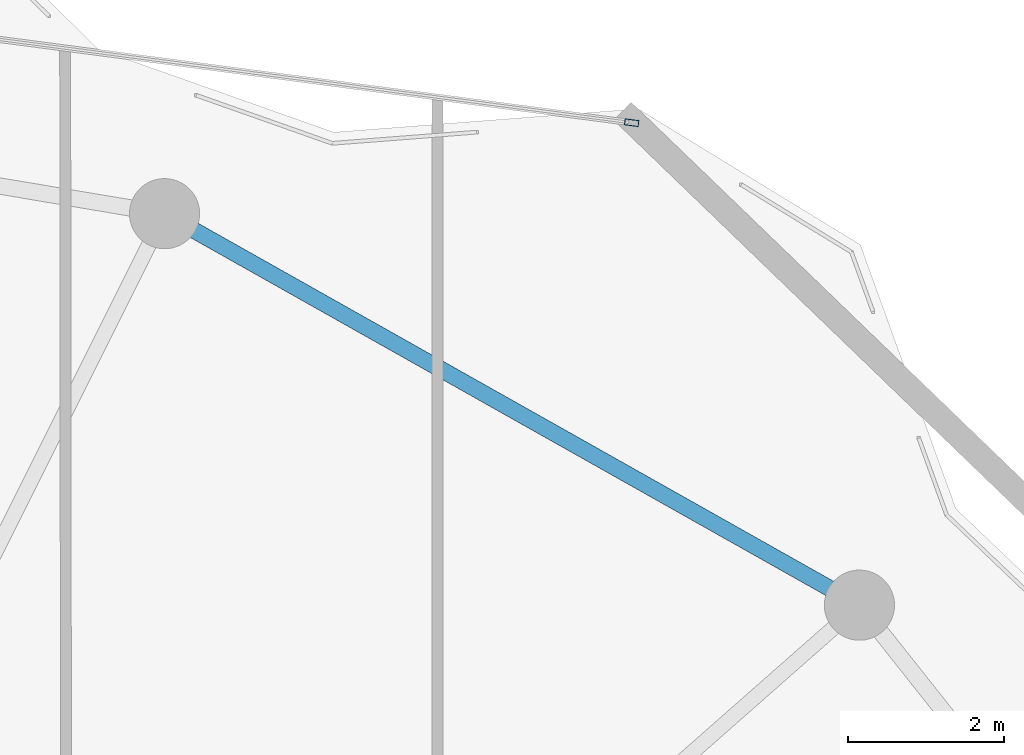
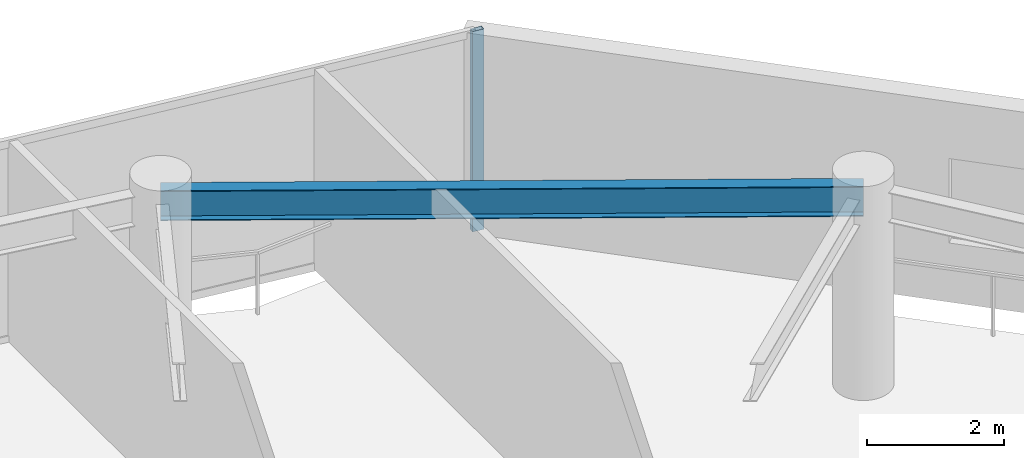
# One storey, part 21 of 29: 1 beam, 1 member, 1 element without a shape of its own.
"""IFC4 building model written with IfcOpenShell, lengths in metres."""

import ifcopenshell
import ifcopenshell.guid

model = None  # the IFC model being written
_history = None  # IfcOwnerHistory: only IFC2X3 demands one
_inside = {}  # id of a spatial element -> (the spatial element, [elements in it])
_under = {}  # id of a project, library or spatial element -> (it, [spatial elements below it])
_declared = {}  # id of a project -> (the project, [libraries it declares])
_typed = {}  # id of a type object -> (the type object, [elements of that type])
_made_of = {}  # id of a material, layer set ... -> (it, [elements and type objects made of it])


def new_model(schema):
    """Start an empty IFC model of exactly this schema.

    Asked for "IFC4X3", IfcOpenShell would pick the latest addendum, in which some entities
    have other attributes; the version numbers below select the first issue.
    IFC2X3 requires an IfcOwnerHistory on every rooted entity: one is made here for all.
    """
    global model, _history
    if schema == "IFC4X3":
        model = ifcopenshell.file(schema_version=(4, 3, 0, 0))
    else:
        model = ifcopenshell.file(schema=schema)
    _inside.clear()
    _under.clear()
    _declared.clear()
    _typed.clear()
    _made_of.clear()
    _history = None
    if model.schema == "IFC2X3":
        org = make("IfcOrganization", Name="unknown")
        user = make(
            "IfcPersonAndOrganization",
            ThePerson=make("IfcPerson", FamilyName="unknown"),
            TheOrganization=org,
        )
        app = make(
            "IfcApplication",
            ApplicationDeveloper=org,
            Version="unknown",
            ApplicationFullName="unknown",
            ApplicationIdentifier="unknown",
        )
        _history = make(
            "IfcOwnerHistory",
            OwningUser=user,
            OwningApplication=app,
            ChangeAction="ADDED",
            CreationDate=0,
        )
    return model


def make(cls, **values):
    """One entity of the class cls with the attributes given. An attribute that is None is left unset."""
    return model.create_entity(
        cls, **{name: value for name, value in values.items() if value is not None}
    )


def rooted(cls, **values):
    """An entity with a GlobalId (a new one), such as an element, a storey or a relation."""
    return make(cls, GlobalId=ifcopenshell.guid.new(), OwnerHistory=_history, **values)


def si_unit(unit_type, name, prefix=None):
    """IfcSIUnit, for example si_unit("LENGTHUNIT", "METRE", prefix="MILLI")."""
    return make("IfcSIUnit", UnitType=unit_type, Prefix=prefix, Name=name)


def assignment(units):
    """IfcUnitAssignment: the units of a project."""
    return None if units is None else make("IfcUnitAssignment", Units=units)


def point(xyz):
    """IfcCartesianPoint."""
    return None if xyz is None else make("IfcCartesianPoint", Coordinates=xyz)


def direction(xyz):
    """IfcDirection."""
    return None if xyz is None else make("IfcDirection", DirectionRatios=xyz)


def frame(location, z_axis=None, x_axis=None):
    """IfcAxis2Placement3D, a coordinate frame: its origin and axes. An axis left out is left unset."""
    return make(
        "IfcAxis2Placement3D",
        Location=point(location),
        Axis=direction(z_axis),
        RefDirection=direction(x_axis),
    )


def frame_2d(location, x_axis=None):
    """IfcAxis2Placement2D, a coordinate frame in the plane: its origin and x axis."""
    return make(
        "IfcAxis2Placement2D", Location=point(location), RefDirection=direction(x_axis)
    )


def origin():
    """The frame at (0, 0, 0) with its axes left unset."""
    return frame((0.0, 0.0, 0.0))


def origin_2d():
    """The frame at (0, 0) in the plane with its x axis left unset."""
    return frame_2d((0.0, 0.0))


def place(relative_to, where):
    """IfcLocalPlacement: puts the frame where relative to a parent placement (None: the world)."""
    return make(
        "IfcLocalPlacement", PlacementRelTo=relative_to, RelativePlacement=where
    )


def context(
    kind, dimensions, precision=None, world=None, true_north=None, identifier=None
):
    """IfcGeometricRepresentationContext, for example the 3D "Model" context."""
    return make(
        "IfcGeometricRepresentationContext",
        ContextIdentifier=identifier,
        ContextType=kind,
        CoordinateSpaceDimension=dimensions,
        Precision=precision,
        WorldCoordinateSystem=world,
        TrueNorth=true_north,
    )


def subcontext(parent, identifier, kind, view, scale=None):
    """IfcGeometricRepresentationSubContext, for example "Body" below "Model"."""
    return make(
        "IfcGeometricRepresentationSubContext",
        ContextIdentifier=identifier,
        ContextType=kind,
        ParentContext=parent,
        TargetScale=scale,
        TargetView=view,
    )


def project(units=None, contexts=None):
    """IfcProject with its units and contexts."""
    return rooted(
        "IfcProject",
        Name="project",
        RepresentationContexts=contexts,
        UnitsInContext=assignment(units),
    )


def spatial(cls, under=None, at=None, **own):
    """A site, building, storey or space (cls), placed at a placement, below another one or the project."""
    s = rooted(cls, ObjectPlacement=at, **own)
    if under is not None:
        _under.setdefault(under.id(), (under, []))[1].append(s)
    return s


def profile(cls, at=None, kind="AREA", **sizes):
    """A parametric profile (cls). Its sizes go by their IFC names, for example OverallWidth=200.0."""
    return make(cls, ProfileType=kind, Position=at, **sizes)


def hollow_rectangle(**sizes):
    """IfcRectangleHollowProfileDef."""
    return profile("IfcRectangleHollowProfileDef", **sizes)


def i_section(**sizes):
    """IfcIShapeProfileDef."""
    return profile("IfcIShapeProfileDef", **sizes)


def extrude(swept, where, along, depth):
    """IfcExtrudedAreaSolid: the profile swept, set in the frame where, extruded along a direction by depth."""
    return make(
        "IfcExtrudedAreaSolid",
        SweptArea=swept,
        Position=where,
        ExtrudedDirection=direction(along),
        Depth=depth,
    )


def shape(context_of_items, identifier, shape_type, items):
    """IfcShapeRepresentation: the items that make up one representation, for example the "Body"."""
    return make(
        "IfcShapeRepresentation",
        ContextOfItems=context_of_items,
        RepresentationIdentifier=identifier,
        RepresentationType=shape_type,
        Items=items,
    )


def material(Name=None, Category=None):
    """IfcMaterial."""
    return make("IfcMaterial", Name=Name, Category=Category)


def layer(
    of_material, thickness, ventilated=None, Name=None, Category=None, Priority=None
):
    """IfcMaterialLayer: one layer of a wall or slab, of a material (None: an air gap)."""
    return make(
        "IfcMaterialLayer",
        Material=of_material,
        LayerThickness=thickness,
        IsVentilated=ventilated,
        Name=Name,
        Category=Category,
        Priority=Priority,
    )


def layer_set(layers, Name=None):
    """IfcMaterialLayerSet."""
    return make("IfcMaterialLayerSet", MaterialLayers=layers, LayerSetName=Name)


def material_profile(
    of_material, cross_section, Name=None, Category=None, Priority=None
):
    """IfcMaterialProfile: a cross section and its material."""
    return make(
        "IfcMaterialProfile",
        Name=Name,
        Material=of_material,
        Profile=cross_section,
        Priority=Priority,
        Category=Category,
    )


def profile_set(profiles, Name=None, composite=None):
    """IfcMaterialProfileSet."""
    return make(
        "IfcMaterialProfileSet",
        Name=Name,
        MaterialProfiles=profiles,
        CompositeProfile=composite,
    )


def made_of(thing, what):
    """Note that an element or type object is made of a material, layer set ...; save() writes the relation."""
    if what is not None:
        _made_of.setdefault(what.id(), (what, []))[1].append(thing)
    return thing


def type_object(cls, material=None, **own):
    """A type object (cls), such as IfcWallType, which elements share."""
    return made_of(rooted(cls, **own), material)


def element(
    cls,
    number,
    at=None,
    inside=None,
    cuts=None,
    type_object=None,
    material=None,
    context=None,
    identifier="Body",
    shape_type=None,
    held_by="IfcProductDefinitionShape",
    body=None,
    shapes=None,
    **own,
):
    """One element of the class cls, such as IfcWall. Its Tag is "e" and its number.

    at: its placement. inside: the storey or other place that contains it. cuts: it is an
    opening in that element (IfcRelVoidsElement). A single representation is given by context,
    identifier, shape_type and body (its items); several are given by shapes. held_by: the class
    of the entity that holds the representations. save() writes the other relations.
    """
    e = rooted(cls, Tag="e%d" % number, ObjectPlacement=at, **own)
    if body is not None:
        shapes = [shape(context, identifier, shape_type, body)]
    if shapes is not None:
        e.Representation = make(held_by, Representations=shapes)
    if inside is not None:
        _inside.setdefault(inside.id(), (inside, []))[1].append(e)
    if cuts is not None:
        rooted(
            "IfcRelVoidsElement", RelatingBuildingElement=cuts, RelatedOpeningElement=e
        )
    if type_object is not None:
        _typed.setdefault(type_object.id(), (type_object, []))[1].append(e)
    return made_of(e, material)


def aggregate(whole, parts):
    """IfcRelAggregates: a whole, such as a stair, and the parts it consists of."""
    return rooted("IfcRelAggregates", RelatingObject=whole, RelatedObjects=parts)


def save(model, path):
    """Write the relations noted so far, then the file.

    IfcRelAggregates (storeys below a building ...), IfcRelContainedInSpatialStructure (elements
    in a storey), IfcRelDefinesByType, IfcRelAssociatesMaterial and IfcRelDeclares: one each for
    every whole, place, type object, material and project.
    """
    for whole, parts in _under.values():
        aggregate(whole, parts)
    for where, things in _inside.values():
        rooted(
            "IfcRelContainedInSpatialStructure",
            RelatedElements=things,
            RelatingStructure=where,
        )
    for kind, things in _typed.values():
        rooted("IfcRelDefinesByType", RelatedObjects=things, RelatingType=kind)
    for what, things in _made_of.values():
        rooted("IfcRelAssociatesMaterial", RelatedObjects=things, RelatingMaterial=what)
    for by, libraries in _declared.values():
        rooted("IfcRelDeclares", RelatingContext=by, RelatedDefinitions=libraries)
    model.write(path)


model = new_model("IFC4")

# Units and contexts
model_context = context("Model", 3, precision=1e-05, world=origin(), true_north=direction((0.0, 1.0)))
body_context = subcontext(model_context, "Body", "Model", "MODEL_VIEW")
ifc_project = project(units=[si_unit("LENGTHUNIT", "METRE"), si_unit("AREAUNIT", "SQUARE_METRE"), si_unit("VOLUMEUNIT", "CUBIC_METRE"), si_unit("PLANEANGLEUNIT", "RADIAN"), si_unit("MASSUNIT", "GRAM", prefix="KILO")], contexts=[model_context])

# Site, building, storey
site_placement = place(None, origin())
site = spatial("IfcSite", under=ifc_project, at=site_placement, CompositionType="ELEMENT")
building_placement = place(site_placement, origin())
building = spatial("IfcBuilding", under=site, at=building_placement, Name="Kazevale Care Tower and Concert Hall", CompositionType="ELEMENT")
storey_placement = place(building_placement, frame((0.0, 0.0, 262.39990234375)))
storey = spatial("IfcBuildingStorey", under=building, at=storey_placement, Name="L69", CompositionType="ELEMENT", Elevation=262.39990234375)

# Curtain wall, member
ifc_material_1 = material(Name="Aluminium 6063-T6 and Low-E Glass", Category="aluminium")
ifc_layer = layer(ifc_material_1, 0.179931640625)
ifc_layer_set = layer_set([ifc_layer], Name="Aluminium 6063-T6 and Low-E Glass")
curtain_wall_type = type_object("IfcCurtainWallType", Name="Waist & Upper Residential Curtain Wall CW-4", PredefinedType="NOTDEFINED", material=ifc_layer_set)
curtain_wall_placement = place(storey_placement, origin())
curtain_wall = element("IfcCurtainWall", 1, at=curtain_wall_placement, inside=storey, type_object=curtain_wall_type, Name="cw:L69:f16", PredefinedType="NOTDEFINED")
ifc_material_2 = material(Name="Aluminium 6063-T6", Category="aluminium")
ifc_material_profile_1 = material_profile(ifc_material_2, hollow_rectangle(XDim=0.080078125, YDim=0.179931640625, WallThickness=0.0048828125, at=origin_2d()), Name="ALU80x180x5")
ifc_profile_set_1 = profile_set([ifc_material_profile_1], Name="Aluminium 6063-T6")
member_type = type_object("IfcMemberType", Name="CW-4 Mullion ALU80x180x5", PredefinedType="MULLION", material=ifc_profile_set_1)
member_placement = place(storey_placement, frame((61.4892578125, 60.55615234375, 0.0), z_axis=(0.0, 0.0, 1.0), x_axis=(0.130591441567, 0.99143626895, 0.0)))
member = element("IfcMember", 2, at=member_placement, type_object=member_type, Name="CW-4 mullion 2", PredefinedType="MULLION", context=body_context, shape_type="SweptSolid", body=[
    extrude(hollow_rectangle(XDim=0.080078125, YDim=0.179931640625, WallThickness=0.0048828125, at=origin_2d()), origin(), (0.0, 0.0, 1.0), 3.56005859375),
])
aggregate(curtain_wall, [member])

# Beam
ifc_material_3 = material(Name="Steel ASTM A572 Gr 50", Category="steel")
ifc_material_profile_2 = material_profile(ifc_material_3, i_section(OverallWidth=0.208984375, OverallDepth=0.532958984375, WebThickness=0.01025390625, FlangeThickness=0.015625, at=origin_2d()), Name="W530x92")
ifc_profile_set_2 = profile_set([ifc_material_profile_2], Name="Steel ASTM A572 Gr 50")
beam_type = type_object("IfcBeamType", Name="Upper Ring Beam W530x92", PredefinedType="BEAM", material=ifc_profile_set_2)
beam_placement = place(storey_placement, frame((64.409912109375, 54.3701171875, 3.293701171875), z_axis=(-0.871243170179, 0.490851646035, 0.0), x_axis=(-0.490851646035, -0.871243170179, 0.0)))
element("IfcBeam", 3, at=beam_placement, inside=storey, type_object=beam_type, Name="beam:L69:ring:03", PredefinedType="BEAM", context=body_context, shape_type="SweptSolid", body=[
    extrude(i_section(OverallWidth=0.208984375, OverallDepth=0.532958984375, WebThickness=0.01025390625, FlangeThickness=0.015625, at=origin_2d()), origin(), (0.0, 0.0, 1.0), 10.2265625),
])

save(model, "model.ifc")
